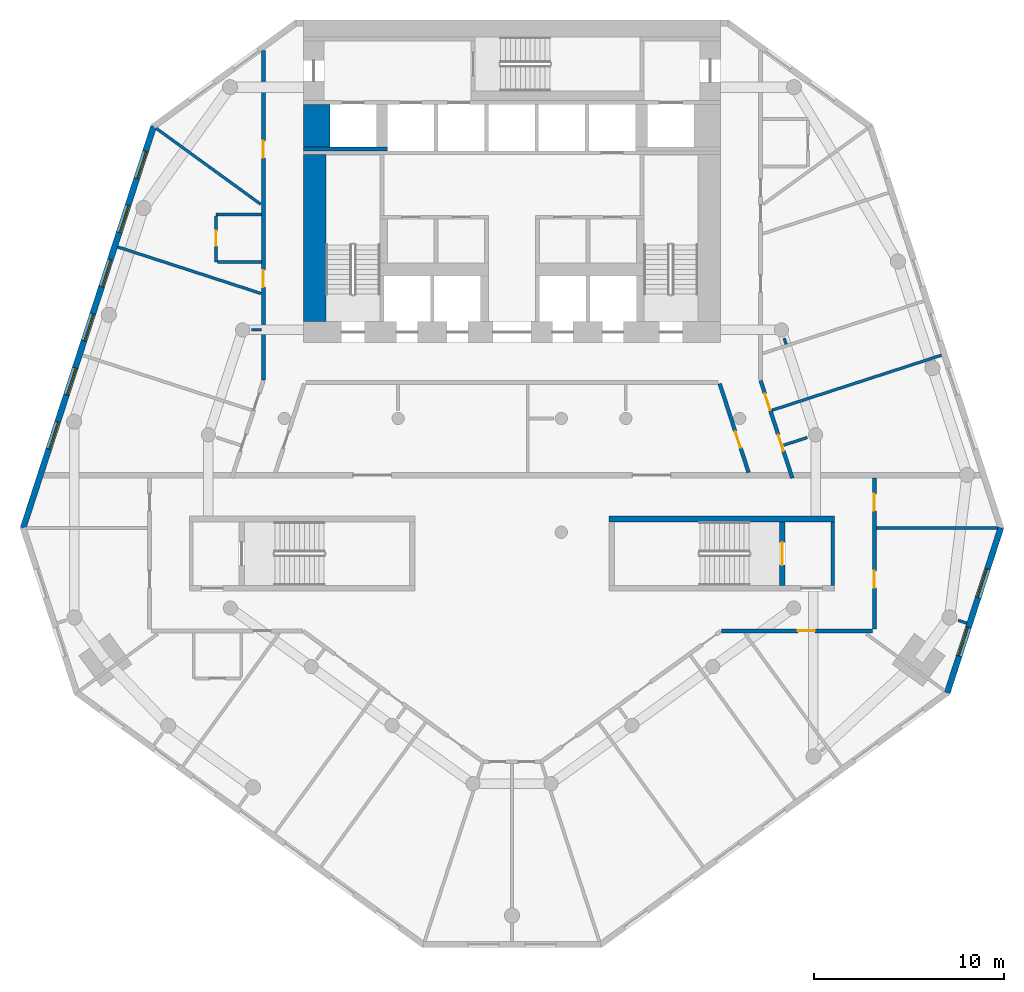
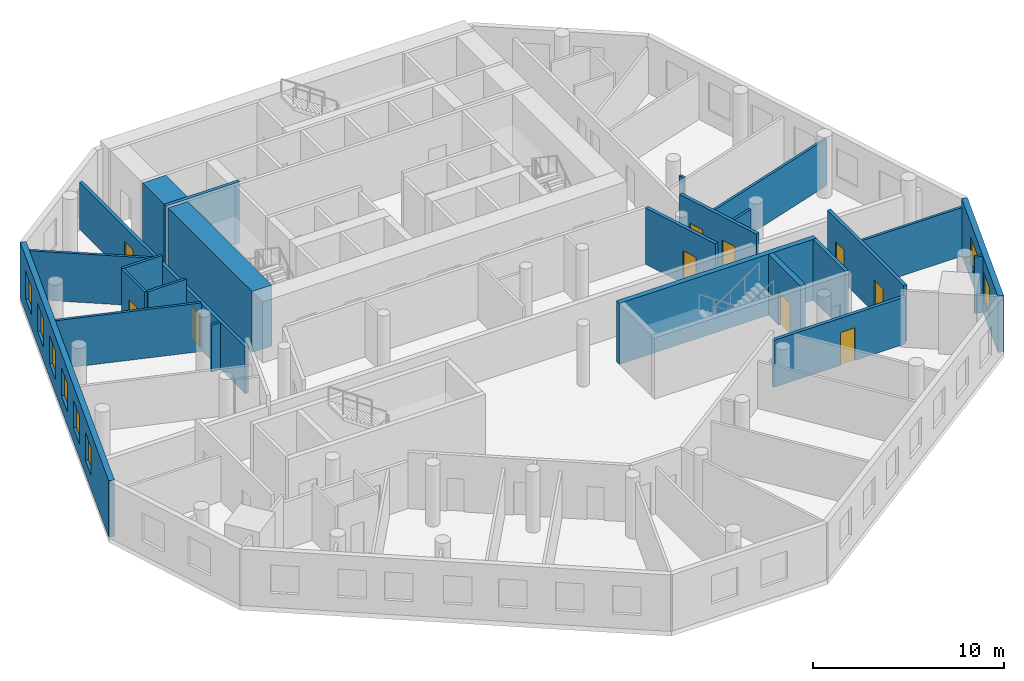
# One storey, part 4 of 9: 24 walls, 10 doors, 8 windows, 18 openings.
"""IFC4 building model written with IfcOpenShell, lengths in metres."""

from ifc_helpers import new_model, si_unit, direction, frame, frame_2d, origin, place, context, subcontext, project, spatial, rectangle, extrude, material, layer, layer_set, type_object, element, fill, save


model = new_model("IFC4")

# Units and contexts
model_context = context("Model", 3, precision=1e-05, world=origin(), true_north=direction((0.0, 1.0)))
body_context = subcontext(model_context, "Body", "Model", "MODEL_VIEW")
ifc_project = project(units=[si_unit("LENGTHUNIT", "METRE"), si_unit("AREAUNIT", "SQUARE_METRE"), si_unit("VOLUMEUNIT", "CUBIC_METRE"), si_unit("PLANEANGLEUNIT", "RADIAN"), si_unit("MASSUNIT", "GRAM", prefix="KILO")], contexts=[model_context])

# Site, building, storey
site_placement = place(None, origin())
site = spatial("IfcSite", under=ifc_project, at=site_placement, CompositionType="ELEMENT")
building_placement = place(site_placement, origin())
building = spatial("IfcBuilding", under=site, at=building_placement, Name="White Candle Pilgrim Tower", CompositionType="ELEMENT")
storey_placement = place(building_placement, frame((0.0, 0.0, 98.60009765625)))
storey = spatial("IfcBuildingStorey", under=building, at=storey_placement, Name="L21", CompositionType="ELEMENT", Elevation=98.60009765625)

# Walls
ifc_material_1 = material(Name="Concrete C60/75", Category="concrete")
ifc_layer_1 = layer(ifc_material_1, 1.39990234375)
ifc_layer_set_1 = layer_set([ifc_layer_1], Name="Core wall 1400 mm Concrete C60/75")
wall_type_1 = type_object("IfcWallType", Name="Core wall 1400 mm Concrete C60/75", PredefinedType="SHEAR", material=ifc_layer_set_1)
wall_1_placement = place(storey_placement, frame((59.699951171875, 81.300048828125, 0.0), z_axis=(0.0, 0.0, 1.0), x_axis=(0.0, 1.0, 0.0)))
element("IfcWall", 1, at=wall_1_placement, inside=storey, type_object=wall_type_1, Name="WL-L21-C39", PredefinedType="SHEAR", context=body_context, shape_type="SweptSolid", body=[
    extrude(rectangle(XDim=2.25, YDim=1.39990234375, at=frame_2d((1.125, 0.0))), origin(), (0.0, 0.0, 1.0), 3.89990234375),
])
ifc_layer_2 = layer(ifc_material_1, 0.199951171875)
ifc_layer_set_2 = layer_set([ifc_layer_2], Name="Core wall 200 mm Concrete C60/75")
wall_type_2 = type_object("IfcWallType", Name="Core wall 200 mm Concrete C60/75", PredefinedType="SHEAR", material=ifc_layer_set_2)
wall_2_placement = place(storey_placement, frame((86.89990234375, 58.199951171875, 0.0), z_axis=(0.0, 0.0, 1.0), x_axis=(0.0, 1.0, 0.0)))
element("IfcWall", 2, at=wall_2_placement, inside=storey, type_object=wall_type_2, Name="WL-L21-C08", PredefinedType="SHEAR", context=body_context, shape_type="SweptSolid", body=[
    extrude(rectangle(XDim=3.35009765625, YDim=0.199951171875, at=frame_2d((1.675048828125, 0.0))), origin(), (0.0, 0.0, 1.0), 3.89990234375),
])
wall_3_placement = place(storey_placement, frame((59.0, 81.199951171875, 0.0), z_axis=(0.0, 0.0, 1.0), x_axis=(1.0, 0.0, 0.0)))
element("IfcWall", 3, at=wall_3_placement, inside=storey, type_object=wall_type_2, Name="WL-L21-C33", PredefinedType="SHEAR", context=body_context, shape_type="SweptSolid", body=[
    extrude(rectangle(XDim=4.449951171875, YDim=0.199951171875, at=frame_2d((2.22509765625, 0.0))), origin(), (0.0, 0.0, 1.0), 3.89990234375),
])

# Wall, openings, doors
ifc_material_2 = material(Name="Gypsum board on steel studs", Category="steel")
ifc_layer_3 = layer(ifc_material_2, 0.199951171875)
ifc_layer_set_3 = layer_set([ifc_layer_3], Name="Corridor wall 200 mm EI 45")
wall_type_3 = type_object("IfcWallType", Name="Corridor wall 200 mm EI 45", PredefinedType="PARTITIONING", material=ifc_layer_set_3)
wall_4_placement = place(storey_placement, frame((56.89990234375, 69.021728515625, 0.0), z_axis=(0.0, 0.0, 1.0), x_axis=(0.0, 1.0, 0.0)))
wall_4 = element("IfcWall", 4, at=wall_4_placement, inside=storey, type_object=wall_type_3, Name="WL-L21-P003", PredefinedType="PARTITIONING", context=body_context, shape_type="SweptSolid", body=[
    extrude(rectangle(XDim=17.37451171875, YDim=0.199951171875, at=frame_2d((8.687255859375, 0.0))), origin(), (0.0, 0.0, 1.0), 3.0),
])
opening_1_placement = place(wall_4_placement, frame((4.89404296875, 0.0, 0.0)))
opening_1 = element("IfcOpeningElement", 5, at=opening_1_placement, cuts=wall_4, Name="Opening T06-121", PredefinedType="OPENING", context=body_context, shape_type="SweptSolid", body=[
    extrude(rectangle(XDim=0.89990234375, YDim=2.10009765625, at=frame_2d((0.449951171875, 1.050048828125))), frame((0.0, 0.10986328125, 0.0), z_axis=(0.0, -1.0, 0.0), x_axis=(1.0, 0.0, 0.0)), (0.0, 0.0, 1.0), 0.219970703125),
])
opening_2_placement = place(wall_4_placement, frame((11.712158203125, 0.0, 0.0)))
opening_2 = element("IfcOpeningElement", 6, at=opening_2_placement, cuts=wall_4, Name="Opening T06-122", PredefinedType="OPENING", context=body_context, shape_type="SweptSolid", body=[
    extrude(rectangle(XDim=0.89990234375, YDim=2.10009765625, at=frame_2d((0.449951171875, 1.050048828125))), frame((0.0, 0.10986328125, 0.0), z_axis=(0.0, -1.0, 0.0), x_axis=(1.0, 0.0, 0.0)), (0.0, 0.0, 1.0), 0.219970703125),
])
ifc_material_3 = material(Name="Steel door leaf", Category="steel")
door_type_1 = type_object("IfcDoorType", Name="Fire door 900 x 2100 EI 30", OperationType="NOTDEFINED", PredefinedType="DOOR", material=ifc_material_3)
door_1_placement = place(opening_1_placement, origin())
door_1 = element("IfcDoor", 7, at=door_1_placement, inside=storey, type_object=door_type_1, Name="Door T06-121", OperationType="SINGLE_SWING_LEFT", OverallHeight=2.10009765625, OverallWidth=0.89990234375, PredefinedType="DOOR", context=body_context, shape_type="SweptSolid", body=[
    extrude(rectangle(XDim=0.89990234375, YDim=2.10009765625, at=frame_2d((0.449951171875, 1.050048828125))), frame((0.0, 0.02490234375, 0.0), z_axis=(0.0, -1.0, 0.0), x_axis=(1.0, 0.0, 0.0)), (0.0, 0.0, 1.0), 0.050048828125),
])
fill(opening_1, door_1)
door_2_placement = place(opening_2_placement, origin())
door_2 = element("IfcDoor", 8, at=door_2_placement, inside=storey, type_object=door_type_1, Name="Door T06-122", OperationType="SINGLE_SWING_RIGHT", OverallHeight=2.10009765625, OverallWidth=0.89990234375, PredefinedType="DOOR", context=body_context, shape_type="SweptSolid", body=[
    extrude(rectangle(XDim=0.89990234375, YDim=2.10009765625, at=frame_2d((0.449951171875, 1.050048828125))), frame((0.0, 0.02490234375, 0.0), z_axis=(0.0, -1.0, 0.0), x_axis=(1.0, 0.0, 0.0)), (0.0, 0.0, 1.0), 0.050048828125),
])
fill(opening_2, door_2)

wall_5_placement = place(storey_placement, frame((83.10498046875, 68.99072265625, 0.0), z_axis=(0.0, 0.0, 1.0), x_axis=(0.309037048815, -0.951049999979, 0.0)))
wall_5 = element("IfcWall", 9, at=wall_5_placement, inside=storey, type_object=wall_type_3, Name="WL-L21-P005", PredefinedType="PARTITIONING", context=body_context, shape_type="SweptSolid", body=[
    extrude(rectangle(XDim=5.4052734375, YDim=0.199951171875, at=frame_2d((2.70263671875, 0.0))), origin(), (0.0, 0.0, 1.0), 3.599853515625),
])
opening_3_placement = place(wall_5_placement, frame((0.721435546875, 0.0, 0.0)))
opening_3 = element("IfcOpeningElement", 10, at=opening_3_placement, cuts=wall_5, Name="Opening T06-126", PredefinedType="OPENING", context=body_context, shape_type="SweptSolid", body=[
    extrude(rectangle(XDim=0.89990234375, YDim=2.10009765625, at=frame_2d((0.449951171875, 1.050048828125))), frame((0.0, 0.10986328125, 0.0), z_axis=(0.0, -1.0, 0.0), x_axis=(1.0, 0.0, 0.0)), (0.0, 0.0, 1.0), 0.219970703125),
])
opening_4_placement = place(wall_5_placement, frame((2.996826171875, 0.0, 0.0)))
opening_4 = element("IfcOpeningElement", 11, at=opening_4_placement, cuts=wall_5, Name="Opening T06-127", PredefinedType="OPENING", context=body_context, shape_type="SweptSolid", body=[
    extrude(rectangle(XDim=0.89990234375, YDim=2.10009765625, at=frame_2d((0.449951171875, 1.050048828125))), frame((0.0, 0.10986328125, 0.0), z_axis=(0.0, -1.0, 0.0), x_axis=(1.0, 0.0, 0.0)), (0.0, 0.0, 1.0), 0.219970703125),
])
door_3_placement = place(opening_3_placement, frame((0.89990234375, 0.0, 0.0), z_axis=(0.0, 0.0, 1.0), x_axis=(-1.0, 0.0, 0.0)))
door_3 = element("IfcDoor", 12, at=door_3_placement, inside=storey, type_object=door_type_1, Name="Door T06-126", OperationType="SINGLE_SWING_LEFT", OverallHeight=2.10009765625, OverallWidth=0.89990234375, PredefinedType="DOOR", context=body_context, shape_type="SweptSolid", body=[
    extrude(rectangle(XDim=0.89990234375, YDim=2.10009765625, at=frame_2d((0.449951171875, 1.050048828125))), frame((0.0, 0.02490234375, 0.0), z_axis=(0.0, -1.0, 0.0), x_axis=(1.0, 0.0, 0.0)), (0.0, 0.0, 1.0), 0.050048828125),
])
fill(opening_3, door_3)
door_4_placement = place(opening_4_placement, origin())
door_4 = element("IfcDoor", 13, at=door_4_placement, inside=storey, type_object=door_type_1, Name="Door T06-127", OperationType="SINGLE_SWING_LEFT", OverallHeight=2.10009765625, OverallWidth=0.89990234375, PredefinedType="DOOR", context=body_context, shape_type="SweptSolid", body=[
    extrude(rectangle(XDim=0.89990234375, YDim=2.10009765625, at=frame_2d((0.449951171875, 1.050048828125))), frame((0.0, 0.02490234375, 0.0), z_axis=(0.0, -1.0, 0.0), x_axis=(1.0, 0.0, 0.0)), (0.0, 0.0, 1.0), 0.050048828125),
])
fill(opening_4, door_4)

wall_6_placement = place(storey_placement, frame((89.10009765625, 63.85009765625, 0.0), z_axis=(0.0, 0.0, 1.0), x_axis=(0.0, -1.0, 0.0)))
wall_6 = element("IfcWall", 14, at=wall_6_placement, inside=storey, type_object=wall_type_3, Name="WL-L21-P006", PredefinedType="PARTITIONING", context=body_context, shape_type="SweptSolid", body=[
    extrude(rectangle(XDim=7.9501953125, YDim=0.199951171875, at=frame_2d((3.97509765625, 0.0))), origin(), (0.0, 0.0, 1.0), 3.599853515625),
])
opening_5_placement = place(wall_6_placement, frame((4.884765625, 0.0, 0.0)))
opening_5 = element("IfcOpeningElement", 15, at=opening_5_placement, cuts=wall_6, Name="Opening T06-114", PredefinedType="OPENING", context=body_context, shape_type="SweptSolid", body=[
    extrude(rectangle(XDim=0.89990234375, YDim=2.10009765625, at=frame_2d((0.449951171875, 1.050048828125))), frame((0.0, 0.10986328125, 0.0), z_axis=(0.0, -1.0, 0.0), x_axis=(1.0, 0.0, 0.0)), (0.0, 0.0, 1.0), 0.219970703125),
])
opening_6_placement = place(wall_6_placement, frame((0.822265625, 0.0, 0.0)))
opening_6 = element("IfcOpeningElement", 16, at=opening_6_placement, cuts=wall_6, Name="Opening T06-128", PredefinedType="OPENING", context=body_context, shape_type="SweptSolid", body=[
    extrude(rectangle(XDim=0.89990234375, YDim=2.10009765625, at=frame_2d((0.449951171875, 1.050048828125))), frame((0.0, 0.10986328125, 0.0), z_axis=(0.0, -1.0, 0.0), x_axis=(1.0, 0.0, 0.0)), (0.0, 0.0, 1.0), 0.219970703125),
])
door_5_placement = place(opening_5_placement, origin())
door_5 = element("IfcDoor", 17, at=door_5_placement, inside=storey, type_object=door_type_1, Name="Door T06-114", OperationType="SINGLE_SWING_RIGHT", OverallHeight=2.10009765625, OverallWidth=0.89990234375, PredefinedType="DOOR", context=body_context, shape_type="SweptSolid", body=[
    extrude(rectangle(XDim=0.89990234375, YDim=2.10009765625, at=frame_2d((0.449951171875, 1.050048828125))), frame((0.0, 0.02490234375, 0.0), z_axis=(0.0, -1.0, 0.0), x_axis=(1.0, 0.0, 0.0)), (0.0, 0.0, 1.0), 0.050048828125),
])
fill(opening_5, door_5)
door_6_placement = place(opening_6_placement, origin())
door_6 = element("IfcDoor", 18, at=door_6_placement, inside=storey, type_object=door_type_1, Name="Door T06-128", OperationType="SINGLE_SWING_RIGHT", OverallHeight=2.10009765625, OverallWidth=0.89990234375, PredefinedType="DOOR", context=body_context, shape_type="SweptSolid", body=[
    extrude(rectangle(XDim=0.89990234375, YDim=2.10009765625, at=frame_2d((0.449951171875, 1.050048828125))), frame((0.0, 0.02490234375, 0.0), z_axis=(0.0, -1.0, 0.0), x_axis=(1.0, 0.0, 0.0)), (0.0, 0.0, 1.0), 0.050048828125),
])
fill(opening_6, door_6)

# Wall, opening, door
wall_7_placement = place(storey_placement, frame((89.0, 55.800048828125, 0.0), z_axis=(0.0, 0.0, 1.0), x_axis=(-1.0, 0.0, 0.0)))
wall_7 = element("IfcWall", 19, at=wall_7_placement, inside=storey, type_object=wall_type_3, Name="WL-L21-P007", PredefinedType="PARTITIONING", context=body_context, shape_type="SweptSolid", body=[
    extrude(rectangle(XDim=7.946044921875, YDim=0.199951171875, at=frame_2d((3.97314453125, 0.0))), origin(), (0.0, 0.0, 1.0), 3.0),
])
opening_7_placement = place(wall_7_placement, frame((3.034423828125, 0.0, 0.0)))
opening_7 = element("IfcOpeningElement", 20, at=opening_7_placement, cuts=wall_7, Name="Opening T06-113", PredefinedType="OPENING", context=body_context, shape_type="SweptSolid", body=[
    extrude(rectangle(XDim=0.89990234375, YDim=2.10009765625, at=frame_2d((0.449951171875, 1.050048828125))), frame((0.0, 0.10986328125, 0.0), z_axis=(0.0, -1.0, 0.0), x_axis=(1.0, 0.0, 0.0)), (0.0, 0.0, 1.0), 0.219970703125),
])
door_7_placement = place(opening_7_placement, origin())
door_7 = element("IfcDoor", 21, at=door_7_placement, inside=storey, type_object=door_type_1, Name="Door T06-113", OperationType="SINGLE_SWING_LEFT", OverallHeight=2.10009765625, OverallWidth=0.89990234375, PredefinedType="DOOR", context=body_context, shape_type="SweptSolid", body=[
    extrude(rectangle(XDim=0.89990234375, YDim=2.10009765625, at=frame_2d((0.449951171875, 1.050048828125))), frame((0.0, 0.02490234375, 0.0), z_axis=(0.0, -1.0, 0.0), x_axis=(1.0, 0.0, 0.0)), (0.0, 0.0, 1.0), 0.050048828125),
])
fill(opening_7, door_7)

wall_8_placement = place(storey_placement, frame((82.4697265625, 64.14990234375, 0.0), z_axis=(0.0, 0.0, 1.0), x_axis=(-0.309031112369, 0.951051928965, 0.0)))
wall_8 = element("IfcWall", 22, at=wall_8_placement, inside=storey, type_object=wall_type_3, Name="WL-L21-P015", PredefinedType="PARTITIONING", context=body_context, shape_type="SweptSolid", body=[
    extrude(rectangle(XDim=4.921875, YDim=0.199951171875, at=frame_2d((2.4609375, 0.0))), origin(), (0.0, 0.0, 1.0), 3.599853515625),
])
opening_8_placement = place(wall_8_placement, frame((1.367919921875, 0.0, 0.0)))
opening_8 = element("IfcOpeningElement", 23, at=opening_8_placement, cuts=wall_8, Name="Opening T06-130", PredefinedType="OPENING", context=body_context, shape_type="SweptSolid", body=[
    extrude(rectangle(XDim=0.89990234375, YDim=2.10009765625, at=frame_2d((0.449951171875, 1.050048828125))), frame((0.0, 0.10986328125, 0.0), z_axis=(0.0, -1.0, 0.0), x_axis=(1.0, 0.0, 0.0)), (0.0, 0.0, 1.0), 0.219970703125),
])
door_8_placement = place(opening_8_placement, origin())
door_8 = element("IfcDoor", 24, at=door_8_placement, inside=storey, type_object=door_type_1, Name="Door T06-130", OperationType="SINGLE_SWING_RIGHT", OverallHeight=2.10009765625, OverallWidth=0.89990234375, PredefinedType="DOOR", context=body_context, shape_type="SweptSolid", body=[
    extrude(rectangle(XDim=0.89990234375, YDim=2.10009765625, at=frame_2d((0.449951171875, 1.050048828125))), frame((0.0, 0.02490234375, 0.0), z_axis=(0.0, -1.0, 0.0), x_axis=(1.0, 0.0, 0.0)), (0.0, 0.0, 1.0), 0.050048828125),
])
fill(opening_8, door_8)

# Wall, openings, windows
ifc_material_4 = material(Name="Precast concrete C40/50", Category="concrete")
ifc_layer_4 = layer(ifc_material_4, 0.320068359375)
ifc_layer_set_4 = layer_set([ifc_layer_4], Name="Facade wall EW1 precast concrete C40/50 pier wall with timber-lined reveals")
wall_type_4 = type_object("IfcWallType", Name="Facade wall EW1 precast concrete C40/50 pier wall with timber-lined reveals", PredefinedType="SOLIDWALL", material=ifc_layer_set_4)
wall_9_placement = place(storey_placement, frame((92.939697265625, 52.54345703125, 0.0), z_axis=(0.0, 0.0, 1.0), x_axis=(0.309026240246, 0.95105351208, 0.0)))
wall_9 = element("IfcWall", 25, at=wall_9_placement, inside=storey, type_object=wall_type_4, Name="Facade wall L21 E chamfer", PredefinedType="SOLIDWALL", context=body_context, shape_type="SweptSolid", body=[
    extrude(rectangle(XDim=9.13427734375, YDim=0.320068359375, at=frame_2d((4.567138671875, 0.0))), origin(), (0.0, 0.0, 1.0), 3.599853515625),
])
opening_9_placement = place(wall_9_placement, frame((2.030517578125, 0.0, 0.89990234375)))
opening_9 = element("IfcOpeningElement", 26, at=opening_9_placement, cuts=wall_9, Name="Opening W2", PredefinedType="OPENING", context=body_context, shape_type="SweptSolid", body=[
    extrude(rectangle(XDim=1.60009765625, YDim=1.800048828125, at=frame_2d((0.800048828125, 0.89990234375))), frame((0.0, 0.169921875, 0.0), z_axis=(0.0, -1.0, 0.0), x_axis=(1.0, 0.0, 0.0)), (0.0, 0.0, 1.0), 0.340087890625),
])
opening_10_placement = place(wall_9_placement, frame((5.26708984375, 0.0, 0.89990234375)))
opening_10 = element("IfcOpeningElement", 27, at=opening_10_placement, cuts=wall_9, Name="Opening W2", PredefinedType="OPENING", context=body_context, shape_type="SweptSolid", body=[
    extrude(rectangle(XDim=1.60009765625, YDim=1.800048828125, at=frame_2d((0.800048828125, 0.89990234375))), frame((0.0, 0.169921875, 0.0), z_axis=(0.0, -1.0, 0.0), x_axis=(1.0, 0.0, 0.0)), (0.0, 0.0, 1.0), 0.340087890625),
])
ifc_material_5 = material(Name="Timber frame with triple glazing", Category="wood")
window_type_1 = type_object("IfcWindowType", Name="Window W2 1600x1800 timber frame triple glazing", PartitioningType="SINGLE_PANEL", PredefinedType="WINDOW", material=ifc_material_5)
window_1_placement = place(opening_9_placement, origin())
window_1 = element("IfcWindow", 28, at=window_1_placement, inside=storey, type_object=window_type_1, Name="Window W2 L21 E chamfer 1", OverallHeight=1.800048828125, OverallWidth=1.60009765625, PartitioningType="SINGLE_PANEL", PredefinedType="WINDOW", context=body_context, shape_type="SweptSolid", body=[
    extrude(rectangle(XDim=1.60009765625, YDim=1.800048828125, at=frame_2d((0.800048828125, 0.89990234375))), frame((0.0, 0.070068359375, 0.0), z_axis=(0.0, -1.0, 0.0), x_axis=(1.0, 0.0, 0.0)), (0.0, 0.0, 1.0), 0.06005859375),
])
fill(opening_9, window_1)
window_2_placement = place(opening_10_placement, origin())
window_2 = element("IfcWindow", 29, at=window_2_placement, inside=storey, type_object=window_type_1, Name="Window W2 L21 E chamfer 2", OverallHeight=1.800048828125, OverallWidth=1.60009765625, PartitioningType="SINGLE_PANEL", PredefinedType="WINDOW", context=body_context, shape_type="SweptSolid", body=[
    extrude(rectangle(XDim=1.60009765625, YDim=1.800048828125, at=frame_2d((0.800048828125, 0.89990234375))), frame((0.0, 0.070068359375, 0.0), z_axis=(0.0, -1.0, 0.0), x_axis=(1.0, 0.0, 0.0)), (0.0, 0.0, 1.0), 0.06005859375),
])
fill(opening_10, window_2)

wall_10_placement = place(storey_placement, frame((51.1123046875, 82.388916015625, 0.0), z_axis=(0.0, 0.0, 1.0), x_axis=(-0.309018577053, -0.95105600205, 0.0)))
wall_10 = element("IfcWall", 30, at=wall_10_placement, inside=storey, type_object=wall_type_4, Name="Facade wall L21 WNW", PredefinedType="SOLIDWALL", context=body_context, shape_type="SweptSolid", body=[
    extrude(rectangle(XDim=22.2470703125, YDim=0.320068359375, at=frame_2d((11.12353515625, 0.0))), origin(), (0.0, 0.0, 1.0), 3.599853515625),
])
opening_11_placement = place(wall_10_placement, frame((1.37353515625, 0.0, 0.89990234375)))
opening_11 = element("IfcOpeningElement", 31, at=opening_11_placement, cuts=wall_10, Name="Opening W1", PredefinedType="OPENING", context=body_context, shape_type="SweptSolid", body=[
    extrude(rectangle(XDim=1.5, YDim=1.800048828125, at=frame_2d((0.75, 0.89990234375))), frame((0.0, 0.169921875, 0.0), z_axis=(0.0, -1.0, 0.0), x_axis=(1.0, 0.0, 0.0)), (0.0, 0.0, 1.0), 0.340087890625),
])
opening_12_placement = place(wall_10_placement, frame((4.37353515625, 0.0, 0.89990234375)))
opening_12 = element("IfcOpeningElement", 32, at=opening_12_placement, cuts=wall_10, Name="Opening W1", PredefinedType="OPENING", context=body_context, shape_type="SweptSolid", body=[
    extrude(rectangle(XDim=1.5, YDim=1.800048828125, at=frame_2d((0.75, 0.89990234375))), frame((0.0, 0.169921875, 0.0), z_axis=(0.0, -1.0, 0.0), x_axis=(1.0, 0.0, 0.0)), (0.0, 0.0, 1.0), 0.340087890625),
])
opening_13_placement = place(wall_10_placement, frame((7.37353515625, 0.0, 0.89990234375)))
opening_13 = element("IfcOpeningElement", 33, at=opening_13_placement, cuts=wall_10, Name="Opening W1", PredefinedType="OPENING", context=body_context, shape_type="SweptSolid", body=[
    extrude(rectangle(XDim=1.5, YDim=1.800048828125, at=frame_2d((0.75, 0.89990234375))), frame((0.0, 0.169921875, 0.0), z_axis=(0.0, -1.0, 0.0), x_axis=(1.0, 0.0, 0.0)), (0.0, 0.0, 1.0), 0.340087890625),
])
opening_14_placement = place(wall_10_placement, frame((10.37353515625, 0.0, 0.89990234375)))
opening_14 = element("IfcOpeningElement", 34, at=opening_14_placement, cuts=wall_10, Name="Opening W1", PredefinedType="OPENING", context=body_context, shape_type="SweptSolid", body=[
    extrude(rectangle(XDim=1.5, YDim=1.800048828125, at=frame_2d((0.75, 0.89990234375))), frame((0.0, 0.169921875, 0.0), z_axis=(0.0, -1.0, 0.0), x_axis=(1.0, 0.0, 0.0)), (0.0, 0.0, 1.0), 0.340087890625),
])
opening_15_placement = place(wall_10_placement, frame((13.37353515625, 0.0, 0.89990234375)))
opening_15 = element("IfcOpeningElement", 35, at=opening_15_placement, cuts=wall_10, Name="Opening W1", PredefinedType="OPENING", context=body_context, shape_type="SweptSolid", body=[
    extrude(rectangle(XDim=1.5, YDim=1.800048828125, at=frame_2d((0.75, 0.89990234375))), frame((0.0, 0.169921875, 0.0), z_axis=(0.0, -1.0, 0.0), x_axis=(1.0, 0.0, 0.0)), (0.0, 0.0, 1.0), 0.340087890625),
])
opening_16_placement = place(wall_10_placement, frame((16.37353515625, 0.0, 0.89990234375)))
opening_16 = element("IfcOpeningElement", 36, at=opening_16_placement, cuts=wall_10, Name="Opening W1", PredefinedType="OPENING", context=body_context, shape_type="SweptSolid", body=[
    extrude(rectangle(XDim=1.5, YDim=1.800048828125, at=frame_2d((0.75, 0.89990234375))), frame((0.0, 0.169921875, 0.0), z_axis=(0.0, -1.0, 0.0), x_axis=(1.0, 0.0, 0.0)), (0.0, 0.0, 1.0), 0.340087890625),
])
window_type_2 = type_object("IfcWindowType", Name="Window W1 1500x1800 timber frame triple glazing", PartitioningType="SINGLE_PANEL", PredefinedType="WINDOW", material=ifc_material_5)
window_3_placement = place(opening_11_placement, origin())
window_3 = element("IfcWindow", 37, at=window_3_placement, inside=storey, type_object=window_type_2, Name="Window W1 L21 WNW 1", OverallHeight=1.800048828125, OverallWidth=1.5, PartitioningType="SINGLE_PANEL", PredefinedType="WINDOW", context=body_context, shape_type="SweptSolid", body=[
    extrude(rectangle(XDim=1.5, YDim=1.800048828125, at=frame_2d((0.75, 0.89990234375))), frame((0.0, 0.070068359375, 0.0), z_axis=(0.0, -1.0, 0.0), x_axis=(1.0, 0.0, 0.0)), (0.0, 0.0, 1.0), 0.06005859375),
])
fill(opening_11, window_3)
window_4_placement = place(opening_12_placement, origin())
window_4 = element("IfcWindow", 38, at=window_4_placement, inside=storey, type_object=window_type_2, Name="Window W1 L21 WNW 2", OverallHeight=1.800048828125, OverallWidth=1.5, PartitioningType="SINGLE_PANEL", PredefinedType="WINDOW", context=body_context, shape_type="SweptSolid", body=[
    extrude(rectangle(XDim=1.5, YDim=1.800048828125, at=frame_2d((0.75, 0.89990234375))), frame((0.0, 0.070068359375, 0.0), z_axis=(0.0, -1.0, 0.0), x_axis=(1.0, 0.0, 0.0)), (0.0, 0.0, 1.0), 0.06005859375),
])
fill(opening_12, window_4)
window_5_placement = place(opening_13_placement, origin())
window_5 = element("IfcWindow", 39, at=window_5_placement, inside=storey, type_object=window_type_2, Name="Window W1 L21 WNW 3", OverallHeight=1.800048828125, OverallWidth=1.5, PartitioningType="SINGLE_PANEL", PredefinedType="WINDOW", context=body_context, shape_type="SweptSolid", body=[
    extrude(rectangle(XDim=1.5, YDim=1.800048828125, at=frame_2d((0.75, 0.89990234375))), frame((0.0, 0.070068359375, 0.0), z_axis=(0.0, -1.0, 0.0), x_axis=(1.0, 0.0, 0.0)), (0.0, 0.0, 1.0), 0.06005859375),
])
fill(opening_13, window_5)
window_6_placement = place(opening_14_placement, origin())
window_6 = element("IfcWindow", 40, at=window_6_placement, inside=storey, type_object=window_type_2, Name="Window W1 L21 WNW 4", OverallHeight=1.800048828125, OverallWidth=1.5, PartitioningType="SINGLE_PANEL", PredefinedType="WINDOW", context=body_context, shape_type="SweptSolid", body=[
    extrude(rectangle(XDim=1.5, YDim=1.800048828125, at=frame_2d((0.75, 0.89990234375))), frame((0.0, 0.070068359375, 0.0), z_axis=(0.0, -1.0, 0.0), x_axis=(1.0, 0.0, 0.0)), (0.0, 0.0, 1.0), 0.06005859375),
])
fill(opening_14, window_6)
window_7_placement = place(opening_15_placement, origin())
window_7 = element("IfcWindow", 41, at=window_7_placement, inside=storey, type_object=window_type_2, Name="Window W1 L21 WNW 5", OverallHeight=1.800048828125, OverallWidth=1.5, PartitioningType="SINGLE_PANEL", PredefinedType="WINDOW", context=body_context, shape_type="SweptSolid", body=[
    extrude(rectangle(XDim=1.5, YDim=1.800048828125, at=frame_2d((0.75, 0.89990234375))), frame((0.0, 0.070068359375, 0.0), z_axis=(0.0, -1.0, 0.0), x_axis=(1.0, 0.0, 0.0)), (0.0, 0.0, 1.0), 0.06005859375),
])
fill(opening_15, window_7)
window_8_placement = place(opening_16_placement, origin())
window_8 = element("IfcWindow", 42, at=window_8_placement, inside=storey, type_object=window_type_2, Name="Window W1 L21 WNW 6", OverallHeight=1.800048828125, OverallWidth=1.5, PartitioningType="SINGLE_PANEL", PredefinedType="WINDOW", context=body_context, shape_type="SweptSolid", body=[
    extrude(rectangle(XDim=1.5, YDim=1.800048828125, at=frame_2d((0.75, 0.89990234375))), frame((0.0, 0.070068359375, 0.0), z_axis=(0.0, -1.0, 0.0), x_axis=(1.0, 0.0, 0.0)), (0.0, 0.0, 1.0), 0.06005859375),
])
fill(opening_16, window_8)

# Walls
ifc_layer_5 = layer(ifc_material_2, 0.14990234375)
ifc_layer_set_5 = layer_set([ifc_layer_5], Name="Partition 150 mm EI 60")
wall_type_5 = type_object("IfcWallType", Name="Partition 150 mm EI 60", PredefinedType="PARTITIONING", material=ifc_layer_set_5)
wall_11_placement = place(storey_placement, frame((51.248291015625, 82.2900390625, 0.0), z_axis=(0.0, 0.0, 1.0), x_axis=(0.809035290939, -0.587760068408, 0.0)))
element("IfcWall", 43, at=wall_11_placement, inside=storey, type_object=wall_type_5, Name="WL-L21-P016", PredefinedType="PARTITIONING", context=body_context, shape_type="SweptSolid", body=[
    extrude(rectangle(XDim=6.8076171875, YDim=0.14990234375, at=frame_2d((3.40380859375, 0.0))), origin(), (0.0, 0.0, 1.0), 3.099853515625),
])
wall_12_placement = place(storey_placement, frame((95.59423828125, 61.230712890625, 0.0), z_axis=(0.0, 0.0, 1.0), x_axis=(-1.0, 0.0, 0.0)))
element("IfcWall", 44, at=wall_12_placement, inside=storey, type_object=wall_type_5, Name="WL-L21-P022", PredefinedType="PARTITIONING", context=body_context, shape_type="SweptSolid", body=[
    extrude(rectangle(XDim=6.394287109375, YDim=0.14990234375, at=frame_2d((3.197265625, 0.0))), origin(), (0.0, 0.0, 1.0), 3.099853515625),
])
wall_13_placement = place(storey_placement, frame((49.2177734375, 76.0400390625, 0.0), z_axis=(0.0, 0.0, 1.0), x_axis=(0.951057993494, -0.309012447986, 0.0)))
element("IfcWall", 45, at=wall_13_placement, inside=storey, type_object=wall_type_5, Name="WL-L21-P024", PredefinedType="PARTITIONING", context=body_context, shape_type="SweptSolid", body=[
    extrude(rectangle(XDim=7.947998046875, YDim=0.14990234375, at=frame_2d((3.97412109375, 0.0))), origin(), (0.0, 0.0, 1.0), 3.099853515625),
])
wall_14_placement = place(storey_placement, frame((56.800048828125, 77.743896484375, 0.0), z_axis=(0.0, 0.0, 1.0), x_axis=(-1.0, 0.0, 0.0)))
element("IfcWall", 46, at=wall_14_placement, inside=storey, type_object=wall_type_5, Name="WL-L21-P026", PredefinedType="PARTITIONING", context=body_context, shape_type="SweptSolid", body=[
    extrude(rectangle(XDim=2.400146484375, YDim=0.14990234375, at=frame_2d((1.2001953125, 0.0))), origin(), (0.0, 0.0, 1.0), 3.599853515625),
])

# Wall, opening, door
wall_15_placement = place(storey_placement, frame((54.39990234375, 75.243896484375, 0.0), z_axis=(0.0, 0.0, 1.0), x_axis=(0.0, 1.0, 0.0)))
wall_15 = element("IfcWall", 47, at=wall_15_placement, inside=storey, type_object=wall_type_5, Name="WL-L21-P027", PredefinedType="PARTITIONING", context=body_context, shape_type="SweptSolid", body=[
    extrude(rectangle(XDim=2.425048828125, YDim=0.14990234375, at=frame_2d((1.21240234375, 0.0))), origin(), (0.0, 0.0, 1.0), 3.599853515625),
])
opening_17_placement = place(wall_15_placement, frame((0.85009765625, 0.0, 0.0)))
opening_17 = element("IfcOpeningElement", 48, at=opening_17_placement, cuts=wall_15, Name="Opening T06-101", PredefinedType="OPENING", context=body_context, shape_type="SweptSolid", body=[
    extrude(rectangle(XDim=0.800048828125, YDim=2.10009765625, at=frame_2d((0.39990234375, 1.050048828125))), frame((0.0, 0.0849609375, 0.0), z_axis=(0.0, -1.0, 0.0), x_axis=(1.0, 0.0, 0.0)), (0.0, 0.0, 1.0), 0.169921875),
])
door_type_2 = type_object("IfcDoorType", Name="Fire door 800 x 2100 EI 30", OperationType="NOTDEFINED", PredefinedType="DOOR", material=ifc_material_3)
door_9_placement = place(opening_17_placement, origin())
door_9 = element("IfcDoor", 49, at=door_9_placement, inside=storey, type_object=door_type_2, Name="Door T06-101", OperationType="SINGLE_SWING_LEFT", OverallHeight=2.10009765625, OverallWidth=0.800048828125, PredefinedType="DOOR", context=body_context, shape_type="SweptSolid", body=[
    extrude(rectangle(XDim=0.800048828125, YDim=2.10009765625, at=frame_2d((0.39990234375, 1.050048828125))), frame((0.0, 0.02490234375, 0.0), z_axis=(0.0, -1.0, 0.0), x_axis=(1.0, 0.0, 0.0)), (0.0, 0.0, 1.0), 0.050048828125),
])
fill(opening_17, door_9)

# Walls
wall_16_placement = place(storey_placement, frame((56.800048828125, 75.243896484375, 0.0), z_axis=(0.0, 0.0, 1.0), x_axis=(-1.0, 0.0, 0.0)))
element("IfcWall", 50, at=wall_16_placement, inside=storey, type_object=wall_type_5, Name="WL-L21-P028", PredefinedType="PARTITIONING", context=body_context, shape_type="SweptSolid", body=[
    extrude(rectangle(XDim=2.324951171875, YDim=0.14990234375, at=frame_2d((1.16259765625, 0.0))), origin(), (0.0, 0.0, 1.0), 3.599853515625),
])
wall_17_placement = place(storey_placement, frame((92.636474609375, 70.333740234375, 0.0), z_axis=(0.0, 0.0, 1.0), x_axis=(-0.951060843481, -0.309003676349, 0.0)))
element("IfcWall", 51, at=wall_17_placement, inside=storey, type_object=wall_type_5, Name="WL-L21-P039", PredefinedType="PARTITIONING", context=body_context, shape_type="SweptSolid", body=[
    extrude(rectangle(XDim=9.3798828125, YDim=0.14990234375, at=frame_2d((4.68994140625, 0.0))), origin(), (0.0, 0.0, 1.0), 3.0),
])
wall_18_placement = place(storey_placement, frame((93.52490234375, 56.35498046875, 0.0), z_axis=(0.0, 0.0, 1.0), x_axis=(0.951037957901, -0.309074105406, 0.0)))
element("IfcWall", 52, at=wall_18_placement, inside=storey, type_object=wall_type_5, Name="WL-L21-P050", PredefinedType="PARTITIONING", context=body_context, shape_type="SweptSolid", body=[
    extrude(rectangle(XDim=0.46142578125, YDim=0.14990234375, at=frame_2d((0.230712890625, 0.0))), origin(), (0.0, 0.0, 1.0), 3.599853515625),
])
wall_19_placement = place(storey_placement, frame((85.558837890625, 65.992919921875, 0.0), z_axis=(0.0, 0.0, 1.0), x_axis=(-0.951046418515, -0.309048070419, 0.0)))
element("IfcWall", 53, at=wall_19_placement, inside=storey, type_object=wall_type_5, Name="WL-L21-P054", PredefinedType="PARTITIONING", context=body_context, shape_type="SweptSolid", body=[
    extrude(rectangle(XDim=1.307373046875, YDim=0.14990234375, at=frame_2d((0.65380859375, 0.0))), origin(), (0.0, 0.0, 1.0), 3.599853515625),
])
wall_20_placement = place(storey_placement, frame((84.346923828125, 71.22900390625, 0.0), z_axis=(0.0, 0.0, 1.0), x_axis=(0.309282141787, -0.950970323812, 0.0)))
element("IfcWall", 54, at=wall_20_placement, inside=storey, type_object=wall_type_5, Name="WL-L21-P055", PredefinedType="PARTITIONING", context=body_context, shape_type="SweptSolid", body=[
    extrude(rectangle(XDim=0.337890625, YDim=0.14990234375, at=frame_2d((0.1689453125, 0.0))), origin(), (0.0, 0.0, 1.0), 3.0),
])
wall_21_placement = place(storey_placement, frame((56.264892578125, 71.67236328125, 0.0), z_axis=(0.0, 0.0, 1.0), x_axis=(1.0, 0.0, 0.0)))
element("IfcWall", 55, at=wall_21_placement, inside=storey, type_object=wall_type_5, Name="WL-L21-P056", PredefinedType="PARTITIONING", context=body_context, shape_type="SweptSolid", body=[
    extrude(rectangle(XDim=0.53515625, YDim=0.14990234375, at=frame_2d((0.267578125, 0.0))), origin(), (0.0, 0.0, 1.0), 3.0),
])
ifc_layer_6 = layer(ifc_material_1, 1.199951171875)
ifc_layer_set_6 = layer_set([ifc_layer_6], Name="Stair shaft wall 1200 mm Concrete C60/75")
wall_type_6 = type_object("IfcWallType", Name="Stair shaft wall 1200 mm Concrete C60/75", PredefinedType="SHEAR", material=ifc_layer_set_6)
wall_22_placement = place(storey_placement, frame((59.60009765625, 72.10009765625, 0.0), z_axis=(0.0, 0.0, 1.0), x_axis=(0.0, 1.0, 0.0)))
element("IfcWall", 56, at=wall_22_placement, inside=storey, type_object=wall_type_6, Name="WL-L21-C12", PredefinedType="SHEAR", context=body_context, shape_type="SweptSolid", body=[
    extrude(rectangle(XDim=8.7998046875, YDim=1.199951171875, at=frame_2d((4.39990234375, 0.0))), origin(), (0.0, 0.0, 1.0), 3.89990234375),
])

# Wall, opening, door
ifc_layer_7 = layer(ifc_material_1, 0.300048828125)
ifc_layer_set_7 = layer_set([ifc_layer_7], Name="Stair shaft wall 300 mm Concrete C60/75")
wall_type_7 = type_object("IfcWallType", Name="Stair shaft wall 300 mm Concrete C60/75", PredefinedType="SHEAR", material=ifc_layer_set_7)
wall_23_placement = place(storey_placement, frame((84.25, 58.199951171875, 0.0), z_axis=(0.0, 0.0, 1.0), x_axis=(0.0, 1.0, 0.0)))
wall_23 = element("IfcWall", 57, at=wall_23_placement, inside=storey, type_object=wall_type_7, Name="WL-L21-C07", PredefinedType="SHEAR", context=body_context, shape_type="SweptSolid", body=[
    extrude(rectangle(XDim=3.35009765625, YDim=0.300048828125, at=frame_2d((1.675048828125, 0.0))), origin(), (0.0, 0.0, 1.0), 3.89990234375),
])
opening_18_placement = place(wall_23_placement, frame((1.074951171875, 0.0, 0.0)))
opening_18 = element("IfcOpeningElement", 58, at=opening_18_placement, cuts=wall_23, Name="Opening T06-010", PredefinedType="OPENING", context=body_context, shape_type="SweptSolid", body=[
    extrude(rectangle(XDim=1.199951171875, YDim=2.10009765625, at=frame_2d((0.60009765625, 1.050048828125))), frame((0.0, 0.159912109375, 0.0), z_axis=(0.0, -1.0, 0.0), x_axis=(1.0, 0.0, 0.0)), (0.0, 0.0, 1.0), 0.320068359375),
])
door_type_3 = type_object("IfcDoorType", Name="Fire door 1200 x 2100 EI 60", OperationType="NOTDEFINED", PredefinedType="DOOR", material=ifc_material_3)
door_10_placement = place(opening_18_placement, origin())
door_10 = element("IfcDoor", 59, at=door_10_placement, inside=storey, type_object=door_type_3, Name="Door T06-010", OperationType="SINGLE_SWING_RIGHT", OverallHeight=2.10009765625, OverallWidth=1.199951171875, PredefinedType="DOOR", context=body_context, shape_type="SweptSolid", body=[
    extrude(rectangle(XDim=1.199951171875, YDim=2.10009765625, at=frame_2d((0.60009765625, 1.050048828125))), frame((0.0, 0.02490234375, 0.0), z_axis=(0.0, -1.0, 0.0), x_axis=(1.0, 0.0, 0.0)), (0.0, 0.0, 1.0), 0.050048828125),
])
fill(opening_18, door_10)

# Wall
wall_24_placement = place(storey_placement, frame((75.10009765625, 61.699951171875, 0.0), z_axis=(0.0, 0.0, 1.0), x_axis=(1.0, 0.0, 0.0)))
element("IfcWall", 60, at=wall_24_placement, inside=storey, type_object=wall_type_7, Name="WL-L21-C10", PredefinedType="SHEAR", context=body_context, shape_type="SweptSolid", body=[
    extrude(rectangle(XDim=11.89990234375, YDim=0.300048828125, at=frame_2d((5.949951171875, 0.0))), origin(), (0.0, 0.0, 1.0), 3.89990234375),
])

save(model, "model.ifc")
